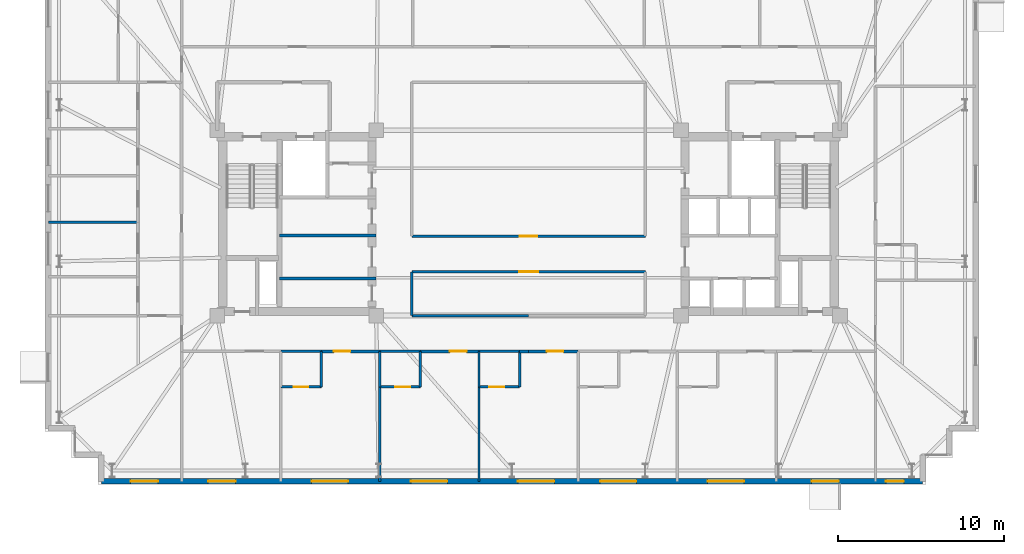
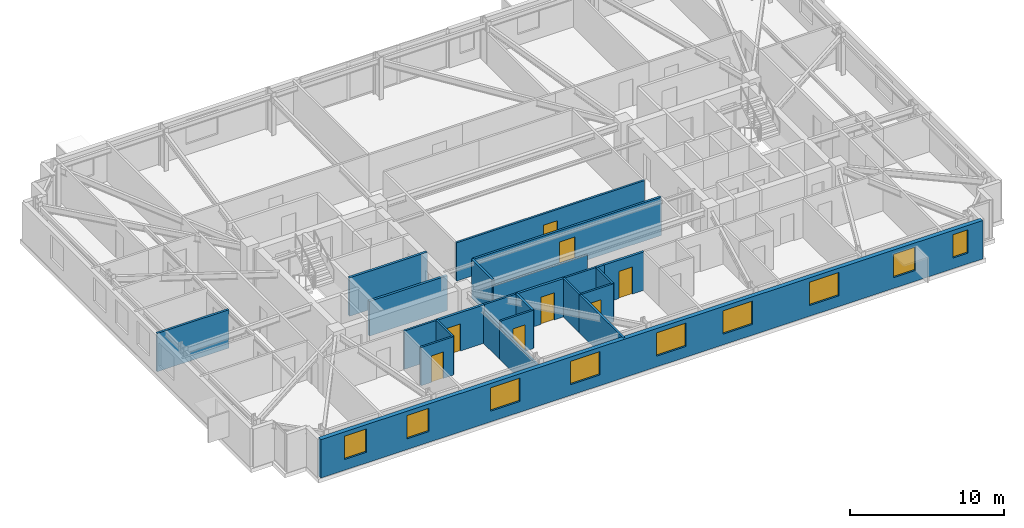
# One storey, part 12 of 18: 25 walls, 9 windows, 8 doors, 17 openings.
"""IFC4 building model written with IfcOpenShell, lengths in metres."""

from ifc_helpers import new_model, si_unit, direction, frame, frame_2d, origin, place, context, subcontext, project, spatial, rectangle, extrude, material, layer, layer_set, type_object, element, fill, save


model = new_model("IFC4")

# Units and contexts
model_context = context("Model", 3, precision=1e-05, world=origin(), true_north=direction((0.0, 1.0)))
body_context = subcontext(model_context, "Body", "Model", "MODEL_VIEW")
ifc_project = project(units=[si_unit("LENGTHUNIT", "METRE"), si_unit("AREAUNIT", "SQUARE_METRE"), si_unit("VOLUMEUNIT", "CUBIC_METRE"), si_unit("PLANEANGLEUNIT", "RADIAN"), si_unit("MASSUNIT", "GRAM", prefix="KILO")], contexts=[model_context])

# Site, building, storey
site_placement = place(None, origin())
site = spatial("IfcSite", under=ifc_project, at=site_placement, CompositionType="ELEMENT")
building_placement = place(site_placement, origin())
building = spatial("IfcBuilding", under=site, at=building_placement, Name="Qobustan Lattice House", CompositionType="ELEMENT")
storey_placement = place(building_placement, frame((0.0, 0.0, 147.75)))
storey = spatial("IfcBuildingStorey", under=building, at=storey_placement, Name="L41", CompositionType="ELEMENT", Elevation=147.75)

# Wall, openings, windows
ifc_material_1 = material(Name="Precast concrete C40/50", Category="concrete")
ifc_layer_1 = layer(ifc_material_1, 0.320068359375)
ifc_layer_set_1 = layer_set([ifc_layer_1], Name="Precast concrete C40/50")
wall_type_1 = type_object("IfcWallType", Name="WAL-EXT-STONE-320", PredefinedType="SOLIDWALL", material=ifc_layer_set_1)
wall_1_placement = place(storey_placement, frame((23.800048828125, -15.60009765625, 0.0), z_axis=(0.0, 0.0, 1.0), x_axis=(-1.0, 0.0, 0.0)))
wall_1 = element("IfcWall", 1, at=wall_1_placement, inside=storey, type_object=wall_type_1, Name="L41 exterior limestone-clad wall 20", PredefinedType="SOLIDWALL", context=body_context, shape_type="SweptSolid", body=[
    extrude(rectangle(XDim=49.60009765625, YDim=0.320068359375, at=frame_2d((24.800048828125, 0.0))), origin(), (0.0, 0.0, 1.0), 3.0400390625),
])
opening_1_placement = place(wall_1_placement, frame((1.1298828125, 0.0, 0.85009765625)))
opening_1 = element("IfcOpeningElement", 2, at=opening_1_placement, cuts=wall_1, Name="Opening WN-04", PredefinedType="OPENING", context=body_context, shape_type="SweptSolid", body=[
    extrude(rectangle(XDim=1.10009765625, YDim=1.85009765625, at=frame_2d((0.550048828125, 0.925048828125))), frame((0.0, 0.169921875, 0.0), z_axis=(0.0, -1.0, 0.0), x_axis=(1.0, 0.0, 0.0)), (0.0, 0.0, 1.0), 0.340087890625),
])
opening_2_placement = place(wall_1_placement, frame((5.054931640625, 0.0, 0.85009765625)))
opening_2 = element("IfcOpeningElement", 3, at=opening_2_placement, cuts=wall_1, Name="Opening WN-09", PredefinedType="OPENING", context=body_context, shape_type="SweptSolid", body=[
    extrude(rectangle(XDim=1.64990234375, YDim=1.85009765625, at=frame_2d((0.824951171875, 0.925048828125))), frame((0.0, 0.169921875, 0.0), z_axis=(0.0, -1.0, 0.0), x_axis=(1.0, 0.0, 0.0)), (0.0, 0.0, 1.0), 0.340087890625),
])
opening_3_placement = place(wall_1_placement, frame((10.780029296875, 0.0, 0.85009765625)))
opening_3 = element("IfcOpeningElement", 4, at=opening_3_placement, cuts=wall_1, Name="Opening WN-03", PredefinedType="OPENING", context=body_context, shape_type="SweptSolid", body=[
    extrude(rectangle(XDim=2.199951171875, YDim=1.85009765625, at=frame_2d((1.10009765625, 0.925048828125))), frame((0.0, 0.169921875, 0.0), z_axis=(0.0, -1.0, 0.0), x_axis=(1.0, 0.0, 0.0)), (0.0, 0.0, 1.0), 0.340087890625),
])
opening_4_placement = place(wall_1_placement, frame((17.283935546875, 0.0, 0.85009765625)))
opening_4 = element("IfcOpeningElement", 5, at=opening_4_placement, cuts=wall_1, Name="Opening WN-03", PredefinedType="OPENING", context=body_context, shape_type="SweptSolid", body=[
    extrude(rectangle(XDim=2.199951171875, YDim=1.85009765625, at=frame_2d((1.10009765625, 0.925048828125))), frame((0.0, 0.169921875, 0.0), z_axis=(0.0, -1.0, 0.0), x_axis=(1.0, 0.0, 0.0)), (0.0, 0.0, 1.0), 0.340087890625),
])
opening_5_placement = place(wall_1_placement, frame((22.248046875, 0.0, 0.85009765625)))
opening_5 = element("IfcOpeningElement", 6, at=opening_5_placement, cuts=wall_1, Name="Opening WN-03", PredefinedType="OPENING", context=body_context, shape_type="SweptSolid", body=[
    extrude(rectangle(XDim=2.199951171875, YDim=1.85009765625, at=frame_2d((1.10009765625, 0.925048828125))), frame((0.0, 0.169921875, 0.0), z_axis=(0.0, -1.0, 0.0), x_axis=(1.0, 0.0, 0.0)), (0.0, 0.0, 1.0), 0.340087890625),
])
opening_6_placement = place(wall_1_placement, frame((28.699951171875, 0.0, 0.85009765625)))
opening_6 = element("IfcOpeningElement", 7, at=opening_6_placement, cuts=wall_1, Name="Opening WN-03", PredefinedType="OPENING", context=body_context, shape_type="SweptSolid", body=[
    extrude(rectangle(XDim=2.199951171875, YDim=1.85009765625, at=frame_2d((1.10009765625, 0.925048828125))), frame((0.0, 0.169921875, 0.0), z_axis=(0.0, -1.0, 0.0), x_axis=(1.0, 0.0, 0.0)), (0.0, 0.0, 1.0), 0.340087890625),
])
opening_7_placement = place(wall_1_placement, frame((34.699951171875, 0.0, 0.85009765625)))
opening_7 = element("IfcOpeningElement", 8, at=opening_7_placement, cuts=wall_1, Name="Opening WN-03", PredefinedType="OPENING", context=body_context, shape_type="SweptSolid", body=[
    extrude(rectangle(XDim=2.199951171875, YDim=1.85009765625, at=frame_2d((1.10009765625, 0.925048828125))), frame((0.0, 0.169921875, 0.0), z_axis=(0.0, -1.0, 0.0), x_axis=(1.0, 0.0, 0.0)), (0.0, 0.0, 1.0), 0.340087890625),
])
opening_8_placement = place(wall_1_placement, frame((41.492431640625, 0.0, 0.85009765625)))
opening_8 = element("IfcOpeningElement", 9, at=opening_8_placement, cuts=wall_1, Name="Opening WN-09", PredefinedType="OPENING", context=body_context, shape_type="SweptSolid", body=[
    extrude(rectangle(XDim=1.64990234375, YDim=1.85009765625, at=frame_2d((0.824951171875, 0.925048828125))), frame((0.0, 0.169921875, 0.0), z_axis=(0.0, -1.0, 0.0), x_axis=(1.0, 0.0, 0.0)), (0.0, 0.0, 1.0), 0.340087890625),
])
opening_9_placement = place(wall_1_placement, frame((46.175048828125, 0.0, 0.85009765625)))
opening_9 = element("IfcOpeningElement", 10, at=opening_9_placement, cuts=wall_1, Name="Opening WN-09", PredefinedType="OPENING", context=body_context, shape_type="SweptSolid", body=[
    extrude(rectangle(XDim=1.64990234375, YDim=1.85009765625, at=frame_2d((0.824951171875, 0.925048828125))), frame((0.0, 0.169921875, 0.0), z_axis=(0.0, -1.0, 0.0), x_axis=(1.0, 0.0, 0.0)), (0.0, 0.0, 1.0), 0.340087890625),
])
ifc_material_2 = material(Name="Double-glazed low-E aluminium window", Category="aluminium")
window_type_1 = type_object("IfcWindowType", Name="WIN-NAR-1100x1850", PartitioningType="SINGLE_PANEL", PredefinedType="WINDOW", material=ifc_material_2)
window_1_placement = place(opening_1_placement, origin())
window_1 = element("IfcWindow", 11, at=window_1_placement, inside=storey, type_object=window_type_1, Name="L41 Focus study room E1 window", OverallHeight=1.85009765625, OverallWidth=1.10009765625, PartitioningType="SINGLE_PANEL", PredefinedType="WINDOW", context=body_context, shape_type="SweptSolid", body=[
    extrude(rectangle(XDim=1.10009765625, YDim=1.85009765625, at=frame_2d((0.550048828125, 0.925048828125))), frame((0.0, 0.030029296875, 0.0), z_axis=(0.0, -1.0, 0.0), x_axis=(1.0, 0.0, 0.0)), (0.0, 0.0, 1.0), 0.06005859375),
])
fill(opening_1, window_1)
ifc_material_3 = material(Name="Double-glazed low-E aluminium window", Category="aluminium")
window_type_2 = type_object("IfcWindowType", Name="WIN-STU-1650x1850", PartitioningType="SINGLE_PANEL", PredefinedType="WINDOW", material=ifc_material_3)
window_2_placement = place(opening_2_placement, origin())
window_2 = element("IfcWindow", 12, at=window_2_placement, inside=storey, type_object=window_type_2, Name="L41 Group study room window", OverallHeight=1.85009765625, OverallWidth=1.64990234375, PartitioningType="SINGLE_PANEL", PredefinedType="WINDOW", context=body_context, shape_type="SweptSolid", body=[
    extrude(rectangle(XDim=1.64990234375, YDim=1.85009765625, at=frame_2d((0.824951171875, 0.925048828125))), frame((0.0, 0.030029296875, 0.0), z_axis=(0.0, -1.0, 0.0), x_axis=(1.0, 0.0, 0.0)), (0.0, 0.0, 1.0), 0.06005859375),
])
fill(opening_2, window_2)
window_3_placement = place(opening_8_placement, origin())
window_3 = element("IfcWindow", 13, at=window_3_placement, inside=storey, type_object=window_type_2, Name="L41 Focus study room S1 window", OverallHeight=1.85009765625, OverallWidth=1.64990234375, PartitioningType="SINGLE_PANEL", PredefinedType="WINDOW", context=body_context, shape_type="SweptSolid", body=[
    extrude(rectangle(XDim=1.64990234375, YDim=1.85009765625, at=frame_2d((0.824951171875, 0.925048828125))), frame((0.0, 0.030029296875, 0.0), z_axis=(0.0, -1.0, 0.0), x_axis=(1.0, 0.0, 0.0)), (0.0, 0.0, 1.0), 0.06005859375),
])
fill(opening_8, window_3)
window_4_placement = place(opening_9_placement, origin())
window_4 = element("IfcWindow", 14, at=window_4_placement, inside=storey, type_object=window_type_2, Name="L41 Reading study room L41WS window", OverallHeight=1.85009765625, OverallWidth=1.64990234375, PartitioningType="SINGLE_PANEL", PredefinedType="WINDOW", context=body_context, shape_type="SweptSolid", body=[
    extrude(rectangle(XDim=1.64990234375, YDim=1.85009765625, at=frame_2d((0.824951171875, 0.925048828125))), frame((0.0, 0.030029296875, 0.0), z_axis=(0.0, -1.0, 0.0), x_axis=(1.0, 0.0, 0.0)), (0.0, 0.0, 1.0), 0.06005859375),
])
fill(opening_9, window_4)
ifc_material_4 = material(Name="Double-glazed low-E aluminium window", Category="aluminium")
window_type_3 = type_object("IfcWindowType", Name="WIN-WIDE-2200x1850", PartitioningType="SINGLE_PANEL", PredefinedType="WINDOW", material=ifc_material_4)
window_5_placement = place(opening_3_placement, origin())
window_5 = element("IfcWindow", 15, at=window_5_placement, inside=storey, type_object=window_type_3, Name="L41 Kitchenette and studio apartment L41-S6 window", OverallHeight=1.85009765625, OverallWidth=2.199951171875, PartitioningType="SINGLE_PANEL", PredefinedType="WINDOW", context=body_context, shape_type="SweptSolid", body=[
    extrude(rectangle(XDim=2.199951171875, YDim=1.85009765625, at=frame_2d((1.10009765625, 0.925048828125))), frame((0.0, 0.030029296875, 0.0), z_axis=(0.0, -1.0, 0.0), x_axis=(1.0, 0.0, 0.0)), (0.0, 0.0, 1.0), 0.06005859375),
])
fill(opening_3, window_5)
window_6_placement = place(opening_4_placement, origin())
window_6 = element("IfcWindow", 16, at=window_6_placement, inside=storey, type_object=window_type_3, Name="L41 Kitchenette and studio apartment L41-S5 window", OverallHeight=1.85009765625, OverallWidth=2.199951171875, PartitioningType="SINGLE_PANEL", PredefinedType="WINDOW", context=body_context, shape_type="SweptSolid", body=[
    extrude(rectangle(XDim=2.199951171875, YDim=1.85009765625, at=frame_2d((1.10009765625, 0.925048828125))), frame((0.0, 0.030029296875, 0.0), z_axis=(0.0, -1.0, 0.0), x_axis=(1.0, 0.0, 0.0)), (0.0, 0.0, 1.0), 0.06005859375),
])
fill(opening_4, window_6)
window_7_placement = place(opening_5_placement, origin())
window_7 = element("IfcWindow", 17, at=window_7_placement, inside=storey, type_object=window_type_3, Name="L41 Kitchenette and studio apartment L41-S4 window", OverallHeight=1.85009765625, OverallWidth=2.199951171875, PartitioningType="SINGLE_PANEL", PredefinedType="WINDOW", context=body_context, shape_type="SweptSolid", body=[
    extrude(rectangle(XDim=2.199951171875, YDim=1.85009765625, at=frame_2d((1.10009765625, 0.925048828125))), frame((0.0, 0.030029296875, 0.0), z_axis=(0.0, -1.0, 0.0), x_axis=(1.0, 0.0, 0.0)), (0.0, 0.0, 1.0), 0.06005859375),
])
fill(opening_5, window_7)
window_8_placement = place(opening_6_placement, origin())
window_8 = element("IfcWindow", 18, at=window_8_placement, inside=storey, type_object=window_type_3, Name="L41 Kitchenette and studio apartment L41-S3 window", OverallHeight=1.85009765625, OverallWidth=2.199951171875, PartitioningType="SINGLE_PANEL", PredefinedType="WINDOW", context=body_context, shape_type="SweptSolid", body=[
    extrude(rectangle(XDim=2.199951171875, YDim=1.85009765625, at=frame_2d((1.10009765625, 0.925048828125))), frame((0.0, 0.030029296875, 0.0), z_axis=(0.0, -1.0, 0.0), x_axis=(1.0, 0.0, 0.0)), (0.0, 0.0, 1.0), 0.06005859375),
])
fill(opening_6, window_8)
window_9_placement = place(opening_7_placement, origin())
window_9 = element("IfcWindow", 19, at=window_9_placement, inside=storey, type_object=window_type_3, Name="L41 Kitchenette and studio apartment L41-S2 window", OverallHeight=1.85009765625, OverallWidth=2.199951171875, PartitioningType="SINGLE_PANEL", PredefinedType="WINDOW", context=body_context, shape_type="SweptSolid", body=[
    extrude(rectangle(XDim=2.199951171875, YDim=1.85009765625, at=frame_2d((1.10009765625, 0.925048828125))), frame((0.0, 0.030029296875, 0.0), z_axis=(0.0, -1.0, 0.0), x_axis=(1.0, 0.0, 0.0)), (0.0, 0.0, 1.0), 0.06005859375),
])
fill(opening_7, window_9)

# Walls
ifc_material_5 = material(Name="Gypsum fireboard acoustic partition", Category="gypsum")
ifc_layer_2 = layer(ifc_material_5, 0.179931640625)
ifc_layer_set_2 = layer_set([ifc_layer_2], Name="Gypsum fireboard acoustic partition")
wall_type_2 = type_object("IfcWallType", Name="WAL-FIRE-180", PredefinedType="PARTITIONING", material=ifc_layer_set_2)
wall_2_placement = place(storey_placement, frame((-15.050048828125, -3.35009765625, 0.0), z_axis=(0.0, 0.0, 1.0), x_axis=(1.0, 0.0, 0.0)))
element("IfcWall", 20, at=wall_2_placement, inside=storey, type_object=wall_type_2, Name="L41 interior partition 10", PredefinedType="PARTITIONING", context=body_context, shape_type="SweptSolid", body=[
    extrude(rectangle(XDim=5.85009765625, YDim=0.179931640625, at=frame_2d((2.925048828125, 0.0))), origin(), (0.0, 0.0, 1.0), 2.7548828125),
])
wall_3_placement = place(storey_placement, frame((-9.199951171875, -0.75, 0.0), z_axis=(0.0, 0.0, 1.0), x_axis=(-1.0, 0.0, 0.0)))
element("IfcWall", 21, at=wall_3_placement, inside=storey, type_object=wall_type_2, Name="L41 interior partition 11", PredefinedType="PARTITIONING", context=body_context, shape_type="SweptSolid", body=[
    extrude(rectangle(XDim=5.85009765625, YDim=0.179931640625, at=frame_2d((2.925048828125, 0.0))), origin(), (0.0, 0.0, 1.0), 3.0400390625),
])

# Wall, opening, door
wall_4_placement = place(storey_placement, frame((-8.97900390625, -7.75, 0.0), z_axis=(0.0, 0.0, 1.0), x_axis=(-1.0, 0.0, 0.0)))
wall_4 = element("IfcWall", 22, at=wall_4_placement, inside=storey, type_object=wall_type_2, Name="L41 interior partition 43", PredefinedType="PARTITIONING", context=body_context, shape_type="SweptSolid", body=[
    extrude(rectangle(XDim=3.534912109375, YDim=0.179931640625, at=frame_2d((1.767578125, 0.0))), origin(), (0.0, 0.0, 1.0), 3.0400390625),
])
opening_10_placement = place(wall_4_placement, frame((1.783203125, 0.0, 0.0)))
opening_10 = element("IfcOpeningElement", 23, at=opening_10_placement, cuts=wall_4, Name="Opening FD-02", PredefinedType="OPENING", context=body_context, shape_type="SweptSolid", body=[
    extrude(rectangle(XDim=1.0, YDim=2.14990234375, at=frame_2d((0.5, 1.074951171875))), frame((0.0, 0.099853515625, 0.0), z_axis=(0.0, -1.0, 0.0), x_axis=(1.0, 0.0, 0.0)), (0.0, 0.0, 1.0), 0.199951171875),
])
ifc_material_6 = material(Name="Persian walnut timber and steel frame door", Category="steel")
door_type_1 = type_object("IfcDoorType", Name="DOR-UNIT-FD-1000x2150", OperationType="NOTDEFINED", PredefinedType="DOOR", material=ifc_material_6)
door_1_placement = place(opening_10_placement, origin())
door_1 = element("IfcDoor", 24, at=door_1_placement, inside=storey, type_object=door_type_1, Name="L41 South-west floor corridor to Kitchenette and studio apartment L41-S2 door", OperationType="SINGLE_SWING_RIGHT", OverallHeight=2.14990234375, OverallWidth=1.0, PredefinedType="DOOR", context=body_context, shape_type="SweptSolid", body=[
    extrude(rectangle(XDim=1.0, YDim=2.14990234375, at=frame_2d((0.5, 1.074951171875))), frame((0.0, 0.02490234375, 0.0), z_axis=(0.0, -1.0, 0.0), x_axis=(1.0, 0.0, 0.0)), (0.0, 0.0, 1.0), 0.050048828125),
])
fill(opening_10, door_1)

wall_5_placement = place(storey_placement, frame((-2.992919921875, -7.75, 0.0), z_axis=(0.0, 0.0, 1.0), x_axis=(-1.0, 0.0, 0.0)))
wall_5 = element("IfcWall", 25, at=wall_5_placement, inside=storey, type_object=wall_type_2, Name="L41 interior partition 45", PredefinedType="PARTITIONING", context=body_context, shape_type="SweptSolid", body=[
    extrude(rectangle(XDim=3.5361328125, YDim=0.179931640625, at=frame_2d((1.76806640625, 0.0))), origin(), (0.0, 0.0, 1.0), 3.0400390625),
])
opening_11_placement = place(wall_5_placement, frame((0.751953125, 0.0, 0.0)))
opening_11 = element("IfcOpeningElement", 26, at=opening_11_placement, cuts=wall_5, Name="Opening FD-02", PredefinedType="OPENING", context=body_context, shape_type="SweptSolid", body=[
    extrude(rectangle(XDim=1.0, YDim=2.14990234375, at=frame_2d((0.5, 1.074951171875))), frame((0.0, 0.099853515625, 0.0), z_axis=(0.0, -1.0, 0.0), x_axis=(1.0, 0.0, 0.0)), (0.0, 0.0, 1.0), 0.199951171875),
])
door_2_placement = place(opening_11_placement, origin())
door_2 = element("IfcDoor", 27, at=door_2_placement, inside=storey, type_object=door_type_1, Name="L41 South-west floor corridor to Kitchenette and studio apartment L41-S3 door", OperationType="SINGLE_SWING_LEFT", OverallHeight=2.14990234375, OverallWidth=1.0, PredefinedType="DOOR", context=body_context, shape_type="SweptSolid", body=[
    extrude(rectangle(XDim=1.0, YDim=2.14990234375, at=frame_2d((0.5, 1.074951171875))), frame((0.0, 0.02490234375, 0.0), z_axis=(0.0, -1.0, 0.0), x_axis=(1.0, 0.0, 0.0)), (0.0, 0.0, 1.0), 0.050048828125),
])
fill(opening_11, door_2)

# Wall
wall_6_placement = place(storey_placement, frame((0.0, -7.75, 0.0), z_axis=(0.0, 0.0, 1.0), x_axis=(-1.0, 0.0, 0.0)))
element("IfcWall", 28, at=wall_6_placement, inside=storey, type_object=wall_type_2, Name="L41 interior partition 47", PredefinedType="PARTITIONING", context=body_context, shape_type="SweptSolid", body=[
    extrude(rectangle(XDim=0.54296875, YDim=0.179931640625, at=frame_2d((0.271484375, 0.0))), origin(), (0.0, 0.0, 1.0), 3.0400390625),
])

# Wall, opening, door
wall_7_placement = place(storey_placement, frame((2.992919921875, -7.75, 0.0), z_axis=(0.0, 0.0, 1.0), x_axis=(-1.0, 0.0, 0.0)))
wall_7 = element("IfcWall", 29, at=wall_7_placement, inside=storey, type_object=wall_type_2, Name="L41 interior partition 51", PredefinedType="PARTITIONING", context=body_context, shape_type="SweptSolid", body=[
    extrude(rectangle(XDim=2.992919921875, YDim=0.179931640625, at=frame_2d((1.49658203125, 0.0))), origin(), (0.0, 0.0, 1.0), 3.0400390625),
])
opening_12_placement = place(wall_7_placement, frame((0.892333984375, 0.0, 0.0)))
opening_12 = element("IfcOpeningElement", 30, at=opening_12_placement, cuts=wall_7, Name="Opening FD-02", PredefinedType="OPENING", context=body_context, shape_type="SweptSolid", body=[
    extrude(rectangle(XDim=1.0, YDim=2.14990234375, at=frame_2d((0.5, 1.074951171875))), frame((0.0, 0.099853515625, 0.0), z_axis=(0.0, -1.0, 0.0), x_axis=(1.0, 0.0, 0.0)), (0.0, 0.0, 1.0), 0.199951171875),
])
door_3_placement = place(opening_12_placement, origin())
door_3 = element("IfcDoor", 31, at=door_3_placement, inside=storey, type_object=door_type_1, Name="L41 South-east floor corridor to Kitchenette and studio apartment L41-S4 door", OperationType="SINGLE_SWING_LEFT", OverallHeight=2.14990234375, OverallWidth=1.0, PredefinedType="DOOR", context=body_context, shape_type="SweptSolid", body=[
    extrude(rectangle(XDim=1.0, YDim=2.14990234375, at=frame_2d((0.5, 1.074951171875))), frame((0.0, 0.02490234375, 0.0), z_axis=(0.0, -1.0, 0.0), x_axis=(1.0, 0.0, 0.0)), (0.0, 0.0, 1.0), 0.050048828125),
])
fill(opening_12, door_3)

ifc_material_7 = material(Name="Acoustic twin-stud gypsum partition", Category="gypsum")
ifc_layer_3 = layer(ifc_material_7, 0.14990234375)
ifc_layer_set_3 = layer_set([ifc_layer_3], Name="Acoustic twin-stud gypsum partition")
wall_type_3 = type_object("IfcWallType", Name="WAL-PART-150", PredefinedType="PARTITIONING", material=ifc_layer_set_3)
wall_8_placement = place(storey_placement, frame((-7.050048828125, -0.800048828125, 0.0), z_axis=(0.0, 0.0, 1.0), x_axis=(1.0, 0.0, 0.0)))
wall_8 = element("IfcWall", 32, at=wall_8_placement, inside=storey, type_object=wall_type_3, Name="L41 interior partition 62", PredefinedType="PARTITIONING", context=body_context, shape_type="SweptSolid", body=[
    extrude(rectangle(XDim=14.10009765625, YDim=0.14990234375, at=frame_2d((7.050048828125, 0.0))), origin(), (0.0, 0.0, 1.0), 3.0400390625),
])
opening_13_placement = place(wall_8_placement, frame((6.52490234375, 0.0, 0.0)))
opening_13 = element("IfcOpeningElement", 33, at=opening_13_placement, cuts=wall_8, Name="Opening ID-02", PredefinedType="OPENING", context=body_context, shape_type="SweptSolid", body=[
    extrude(rectangle(XDim=1.050048828125, YDim=2.14990234375, at=frame_2d((0.52490234375, 1.074951171875))), frame((0.0, 0.0849609375, 0.0), z_axis=(0.0, -1.0, 0.0), x_axis=(1.0, 0.0, 0.0)), (0.0, 0.0, 1.0), 0.169921875),
])
ifc_material_8 = material(Name="Persian walnut timber and steel frame door", Category="steel")
door_type_2 = type_object("IfcDoorType", Name="DOR-STUDY-1050x2150", OperationType="NOTDEFINED", PredefinedType="DOOR", material=ifc_material_8)
door_4_placement = place(opening_13_placement, origin())
door_4 = element("IfcDoor", 34, at=door_4_placement, inside=storey, type_object=door_type_2, Name="L41 Central spine corridor to Central study commons door", OperationType="SINGLE_SWING_LEFT", OverallHeight=2.14990234375, OverallWidth=1.050048828125, PredefinedType="DOOR", context=body_context, shape_type="SweptSolid", body=[
    extrude(rectangle(XDim=1.050048828125, YDim=2.14990234375, at=frame_2d((0.52490234375, 1.074951171875))), frame((0.0, 0.02490234375, 0.0), z_axis=(0.0, -1.0, 0.0), x_axis=(1.0, 0.0, 0.0)), (0.0, 0.0, 1.0), 0.050048828125),
])
fill(opening_13, door_4)

# Walls
wall_9_placement = place(storey_placement, frame((-8.97900390625, -9.89990234375, 0.0), z_axis=(0.0, 0.0, 1.0), x_axis=(0.0, -1.0, 0.0)))
element("IfcWall", 35, at=wall_9_placement, inside=storey, type_object=wall_type_3, Name="L41 interior partition 99", PredefinedType="PARTITIONING", context=body_context, shape_type="SweptSolid", body=[
    extrude(rectangle(XDim=5.7001953125, YDim=0.14990234375, at=frame_2d((2.85009765625, 0.0))), origin(), (0.0, 0.0, 1.0), 2.52490234375),
])
wall_10_placement = place(storey_placement, frame((-2.992919921875, -9.89990234375, 0.0), z_axis=(0.0, 0.0, 1.0), x_axis=(0.0, -1.0, 0.0)))
element("IfcWall", 36, at=wall_10_placement, inside=storey, type_object=wall_type_3, Name="L41 interior partition 103", PredefinedType="PARTITIONING", context=body_context, shape_type="SweptSolid", body=[
    extrude(rectangle(XDim=5.7001953125, YDim=0.14990234375, at=frame_2d((2.85009765625, 0.0))), origin(), (0.0, 0.0, 1.0), 3.0400390625),
])
ifc_material_9 = material(Name="High-mass acoustic twin-stud partition", Category="gypsum")
ifc_layer_4 = layer(ifc_material_9, 0.1650390625)
ifc_layer_set_4 = layer_set([ifc_layer_4], Name="High-mass acoustic twin-stud partition")
wall_type_4 = type_object("IfcWallType", Name="WAL-PART-165", PredefinedType="PARTITIONING", material=ifc_layer_set_4)
wall_11_placement = place(storey_placement, frame((-7.050048828125, -5.60009765625, 0.0), z_axis=(0.0, 0.0, 1.0), x_axis=(1.0, 0.0, 0.0)))
element("IfcWall", 37, at=wall_11_placement, inside=storey, type_object=wall_type_4, Name="L41 interior partition 49", PredefinedType="PARTITIONING", context=body_context, shape_type="SweptSolid", body=[
    extrude(rectangle(XDim=7.050048828125, YDim=0.1650390625, at=frame_2d((3.52490234375, 0.0))), origin(), (0.0, 0.0, 1.0), 2.52490234375),
])

# Wall, opening, door
wall_12_placement = place(storey_placement, frame((7.050048828125, -2.949951171875, 0.0), z_axis=(0.0, 0.0, 1.0), x_axis=(-1.0, 0.0, 0.0)))
wall_12 = element("IfcWall", 38, at=wall_12_placement, inside=storey, type_object=wall_type_4, Name="L41 interior partition 63", PredefinedType="PARTITIONING", context=body_context, shape_type="SweptSolid", body=[
    extrude(rectangle(XDim=14.10009765625, YDim=0.1650390625, at=frame_2d((7.050048828125, 0.0))), origin(), (0.0, 0.0, 1.0), 3.0400390625),
])
opening_14_placement = place(wall_12_placement, frame((6.47509765625, 0.0, 0.0)))
opening_14 = element("IfcOpeningElement", 39, at=opening_14_placement, cuts=wall_12, Name="Opening ID-03", PredefinedType="OPENING", context=body_context, shape_type="SweptSolid", body=[
    extrude(rectangle(XDim=1.14990234375, YDim=2.14990234375, at=frame_2d((0.574951171875, 1.074951171875))), frame((0.0, 0.092529296875, 0.0), z_axis=(0.0, -1.0, 0.0), x_axis=(1.0, 0.0, 0.0)), (0.0, 0.0, 1.0), 0.18505859375),
])
ifc_material_10 = material(Name="Persian walnut timber and steel frame door", Category="steel")
door_type_3 = type_object("IfcDoorType", Name="DOR-KITCH-1150x2150", OperationType="NOTDEFINED", PredefinedType="DOOR", material=ifc_material_10)
door_5_placement = place(opening_14_placement, origin())
door_5 = element("IfcDoor", 40, at=door_5_placement, inside=storey, type_object=door_type_3, Name="L41 Central spine corridor to Shared kitchen and tea room door", OperationType="SINGLE_SWING_RIGHT", OverallHeight=2.14990234375, OverallWidth=1.14990234375, PredefinedType="DOOR", context=body_context, shape_type="SweptSolid", body=[
    extrude(rectangle(XDim=1.14990234375, YDim=2.14990234375, at=frame_2d((0.574951171875, 1.074951171875))), frame((0.0, 0.02490234375, 0.0), z_axis=(0.0, -1.0, 0.0), x_axis=(1.0, 0.0, 0.0)), (0.0, 0.0, 1.0), 0.050048828125),
])
fill(opening_14, door_5)

# Walls
wall_13_placement = place(storey_placement, frame((-7.050048828125, -2.949951171875, 0.0), z_axis=(0.0, 0.0, 1.0), x_axis=(0.0, -1.0, 0.0)))
element("IfcWall", 41, at=wall_13_placement, inside=storey, type_object=wall_type_4, Name="L41 interior partition 65", PredefinedType="PARTITIONING", context=body_context, shape_type="SweptSolid", body=[
    extrude(rectangle(XDim=2.650146484375, YDim=0.1650390625, at=frame_2d((1.3251953125, 0.0))), origin(), (0.0, 0.0, 1.0), 3.0400390625),
])
wall_14_placement = place(storey_placement, frame((-29.0, 0.0400390625, 0.0), z_axis=(0.0, 0.0, 1.0), x_axis=(1.0, 0.0, 0.0)))
element("IfcWall", 42, at=wall_14_placement, inside=storey, type_object=wall_type_4, Name="L41 interior partition 82", PredefinedType="PARTITIONING", context=body_context, shape_type="SweptSolid", body=[
    extrude(rectangle(XDim=5.39990234375, YDim=0.1650390625, at=frame_2d((2.699951171875, 0.0))), origin(), (0.0, 0.0, 1.0), 3.0400390625),
])
ifc_material_11 = material(Name="Moisture-resistant acoustic plumbing wall", Category="gypsum")
ifc_layer_5 = layer(ifc_material_11, 0.14990234375)
ifc_layer_set_5 = layer_set([ifc_layer_5], Name="Moisture-resistant acoustic plumbing wall")
wall_type_5 = type_object("IfcWallType", Name="WAL-WET-150", PredefinedType="PLUMBINGWALL", material=ifc_layer_set_5)
wall_15_placement = place(storey_placement, frame((-12.513916015625, -7.75, 0.0), z_axis=(0.0, 0.0, 1.0), x_axis=(-1.0, 0.0, 0.0)))
element("IfcWall", 43, at=wall_15_placement, inside=storey, type_object=wall_type_5, Name="L41 interior partition 44", PredefinedType="PLUMBINGWALL", context=body_context, shape_type="SweptSolid", body=[
    extrude(rectangle(XDim=2.4501953125, YDim=0.14990234375, at=frame_2d((1.22509765625, 0.0))), origin(), (0.0, 0.0, 1.0), 3.0400390625),
])
for number, where, z_axis, x_axis, name in (
    (44, (-6.529052734375, -7.75, 0.0), (0.0, 0.0, 1.0), (-1.0, 0.0, 0.0), "L41 interior partition 46"),
    (45, (-0.54296875, -7.75, 0.0), (0.0, 0.0, 1.0), (-1.0, 0.0, 0.0), "L41 interior partition 48"),
):
    element("IfcWall", number, at=place(storey_placement, frame(where, z_axis=z_axis, x_axis=x_axis)), inside=storey, type_object=wall_type_5, Name=name, PredefinedType="PLUMBINGWALL", context=body_context, shape_type="SweptSolid", body=[
        extrude(rectangle(XDim=2.449951171875, YDim=0.14990234375, at=frame_2d((1.22509765625, 0.0))), origin(), (0.0, 0.0, 1.0), 3.0400390625),
    ])

# Wall, opening, door
wall_16_placement = place(storey_placement, frame((-14.964111328125, -9.89990234375, 0.0), z_axis=(0.0, 0.0, 1.0), x_axis=(1.0, 0.0, 0.0)))
wall_16 = element("IfcWall", 46, at=wall_16_placement, inside=storey, type_object=wall_type_5, Name="L41 interior partition 97", PredefinedType="PLUMBINGWALL", context=body_context, shape_type="SweptSolid", body=[
    extrude(rectangle(XDim=2.4501953125, YDim=0.14990234375, at=frame_2d((1.22509765625, 0.0))), origin(), (0.0, 0.0, 1.0), 3.0400390625),
])
opening_15_placement = place(wall_16_placement, frame((0.77490234375, 0.0, 0.0)))
opening_15 = element("IfcOpeningElement", 47, at=opening_15_placement, cuts=wall_16, Name="Opening WD-01", PredefinedType="OPENING", context=body_context, shape_type="SweptSolid", body=[
    extrude(rectangle(XDim=0.89990234375, YDim=2.10009765625, at=frame_2d((0.449951171875, 1.050048828125))), frame((0.0, 0.0849609375, 0.0), z_axis=(0.0, -1.0, 0.0), x_axis=(1.0, 0.0, 0.0)), (0.0, 0.0, 1.0), 0.169921875),
])
ifc_material_12 = material(Name="Persian walnut timber and steel frame door", Category="steel")
door_type_4 = type_object("IfcDoorType", Name="DOR-WET-900x2100", OperationType="NOTDEFINED", PredefinedType="DOOR", material=ifc_material_12)
door_6_placement = place(opening_15_placement, origin())
door_6 = element("IfcDoor", 48, at=door_6_placement, inside=storey, type_object=door_type_4, Name="L41 Kitchenette and studio apartment L41-S2 to En-suite bathroom L41-S2 door", OperationType="SINGLE_SWING_RIGHT", OverallHeight=2.10009765625, OverallWidth=0.89990234375, PredefinedType="DOOR", context=body_context, shape_type="SweptSolid", body=[
    extrude(rectangle(XDim=0.89990234375, YDim=2.10009765625, at=frame_2d((0.449951171875, 1.050048828125))), frame((0.0, 0.02490234375, 0.0), z_axis=(0.0, -1.0, 0.0), x_axis=(1.0, 0.0, 0.0)), (0.0, 0.0, 1.0), 0.050048828125),
])
fill(opening_15, door_6)

# Walls
wall_17_placement = place(storey_placement, frame((-12.513916015625, -9.89990234375, 0.0), z_axis=(0.0, 0.0, 1.0), x_axis=(0.0, 1.0, 0.0)))
element("IfcWall", 49, at=wall_17_placement, inside=storey, type_object=wall_type_5, Name="L41 interior partition 98", PredefinedType="PLUMBINGWALL", context=body_context, shape_type="SweptSolid", body=[
    extrude(rectangle(XDim=2.14990234375, YDim=0.14990234375, at=frame_2d((1.074951171875, 0.0))), origin(), (0.0, 0.0, 1.0), 3.0400390625),
])
wall_18_placement = place(storey_placement, frame((-8.97900390625, -7.75, 0.0), z_axis=(0.0, 0.0, 1.0), x_axis=(0.0, -1.0, 0.0)))
element("IfcWall", 50, at=wall_18_placement, inside=storey, type_object=wall_type_5, Name="L41 interior partition 100", PredefinedType="PLUMBINGWALL", context=body_context, shape_type="SweptSolid", body=[
    extrude(rectangle(XDim=2.14990234375, YDim=0.14990234375, at=frame_2d((1.074951171875, 0.0))), origin(), (0.0, 0.0, 1.0), 2.52490234375),
])

# Wall, opening, door
wall_19_placement = place(storey_placement, frame((-8.97900390625, -9.89990234375, 0.0), z_axis=(0.0, 0.0, 1.0), x_axis=(1.0, 0.0, 0.0)))
wall_19 = element("IfcWall", 51, at=wall_19_placement, inside=storey, type_object=wall_type_5, Name="L41 interior partition 101", PredefinedType="PLUMBINGWALL", context=body_context, shape_type="SweptSolid", body=[
    extrude(rectangle(XDim=2.449951171875, YDim=0.14990234375, at=frame_2d((1.22509765625, 0.0))), origin(), (0.0, 0.0, 1.0), 3.0400390625),
])
opening_16_placement = place(wall_19_placement, frame((0.921142578125, 0.0, 0.0)))
opening_16 = element("IfcOpeningElement", 52, at=opening_16_placement, cuts=wall_19, Name="Opening WD-01", PredefinedType="OPENING", context=body_context, shape_type="SweptSolid", body=[
    extrude(rectangle(XDim=0.89990234375, YDim=2.10009765625, at=frame_2d((0.449951171875, 1.050048828125))), frame((0.0, 0.0849609375, 0.0), z_axis=(0.0, -1.0, 0.0), x_axis=(1.0, 0.0, 0.0)), (0.0, 0.0, 1.0), 0.169921875),
])
door_7_placement = place(opening_16_placement, origin())
door_7 = element("IfcDoor", 53, at=door_7_placement, inside=storey, type_object=door_type_4, Name="L41 Kitchenette and studio apartment L41-S3 to En-suite bathroom L41-S3 door", OperationType="SINGLE_SWING_LEFT", OverallHeight=2.10009765625, OverallWidth=0.89990234375, PredefinedType="DOOR", context=body_context, shape_type="SweptSolid", body=[
    extrude(rectangle(XDim=0.89990234375, YDim=2.10009765625, at=frame_2d((0.449951171875, 1.050048828125))), frame((0.0, 0.02490234375, 0.0), z_axis=(0.0, -1.0, 0.0), x_axis=(1.0, 0.0, 0.0)), (0.0, 0.0, 1.0), 0.050048828125),
])
fill(opening_16, door_7)

# Walls
for number, where, z_axis, x_axis, name in (
    (54, (-6.529052734375, -9.89990234375, 0.0), (0.0, 0.0, 1.0), (0.0, 1.0, 0.0), "L41 interior partition 102"),
    (55, (-2.992919921875, -7.75, 0.0), (0.0, 0.0, 1.0), (0.0, -1.0, 0.0), "L41 interior partition 104"),
):
    element("IfcWall", number, at=place(storey_placement, frame(where, z_axis=z_axis, x_axis=x_axis)), inside=storey, type_object=wall_type_5, Name=name, PredefinedType="PLUMBINGWALL", context=body_context, shape_type="SweptSolid", body=[
        extrude(rectangle(XDim=2.14990234375, YDim=0.14990234375, at=frame_2d((1.074951171875, 0.0))), origin(), (0.0, 0.0, 1.0), 3.0400390625),
    ])

# Wall, opening, door
wall_20_placement = place(storey_placement, frame((-2.992919921875, -9.89990234375, 0.0), z_axis=(0.0, 0.0, 1.0), x_axis=(1.0, 0.0, 0.0)))
wall_20 = element("IfcWall", 56, at=wall_20_placement, inside=storey, type_object=wall_type_5, Name="L41 interior partition 105", PredefinedType="PLUMBINGWALL", context=body_context, shape_type="SweptSolid", body=[
    extrude(rectangle(XDim=2.449951171875, YDim=0.14990234375, at=frame_2d((1.22509765625, 0.0))), origin(), (0.0, 0.0, 1.0), 3.0400390625),
])
opening_17_placement = place(wall_20_placement, frame((0.628662109375, 0.0, 0.0)))
opening_17 = element("IfcOpeningElement", 57, at=opening_17_placement, cuts=wall_20, Name="Opening WD-01", PredefinedType="OPENING", context=body_context, shape_type="SweptSolid", body=[
    extrude(rectangle(XDim=0.89990234375, YDim=2.10009765625, at=frame_2d((0.449951171875, 1.050048828125))), frame((0.0, 0.0849609375, 0.0), z_axis=(0.0, -1.0, 0.0), x_axis=(1.0, 0.0, 0.0)), (0.0, 0.0, 1.0), 0.169921875),
])
door_8_placement = place(opening_17_placement, origin())
door_8 = element("IfcDoor", 58, at=door_8_placement, inside=storey, type_object=door_type_4, Name="L41 Kitchenette and studio apartment L41-S4 to En-suite bathroom L41-S4 door", OperationType="SINGLE_SWING_RIGHT", OverallHeight=2.10009765625, OverallWidth=0.89990234375, PredefinedType="DOOR", context=body_context, shape_type="SweptSolid", body=[
    extrude(rectangle(XDim=0.89990234375, YDim=2.10009765625, at=frame_2d((0.449951171875, 1.050048828125))), frame((0.0, 0.02490234375, 0.0), z_axis=(0.0, -1.0, 0.0), x_axis=(1.0, 0.0, 0.0)), (0.0, 0.0, 1.0), 0.050048828125),
])
fill(opening_17, door_8)

# Wall
wall_21_placement = place(storey_placement, frame((-0.54296875, -9.89990234375, 0.0), z_axis=(0.0, 0.0, 1.0), x_axis=(0.0, 1.0, 0.0)))
element("IfcWall", 59, at=wall_21_placement, inside=storey, type_object=wall_type_5, Name="L41 interior partition 106", PredefinedType="PLUMBINGWALL", context=body_context, shape_type="SweptSolid", body=[
    extrude(rectangle(XDim=2.14990234375, YDim=0.14990234375, at=frame_2d((1.074951171875, 0.0))), origin(), (0.0, 0.0, 1.0), 3.0400390625),
])

save(model, "model.ifc")
